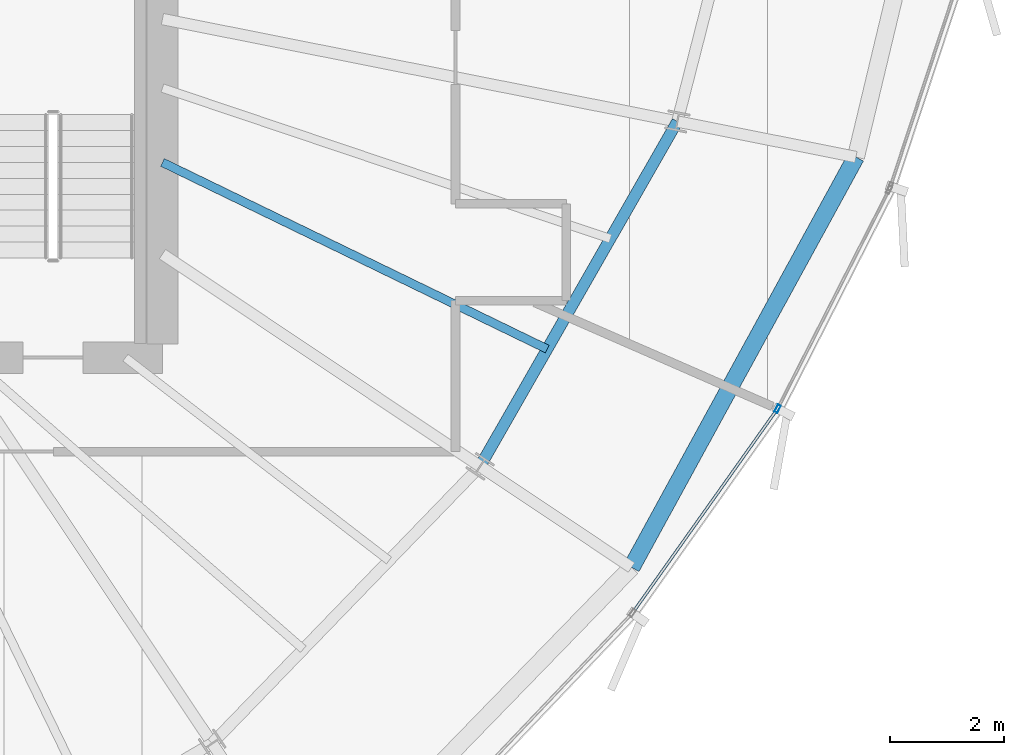
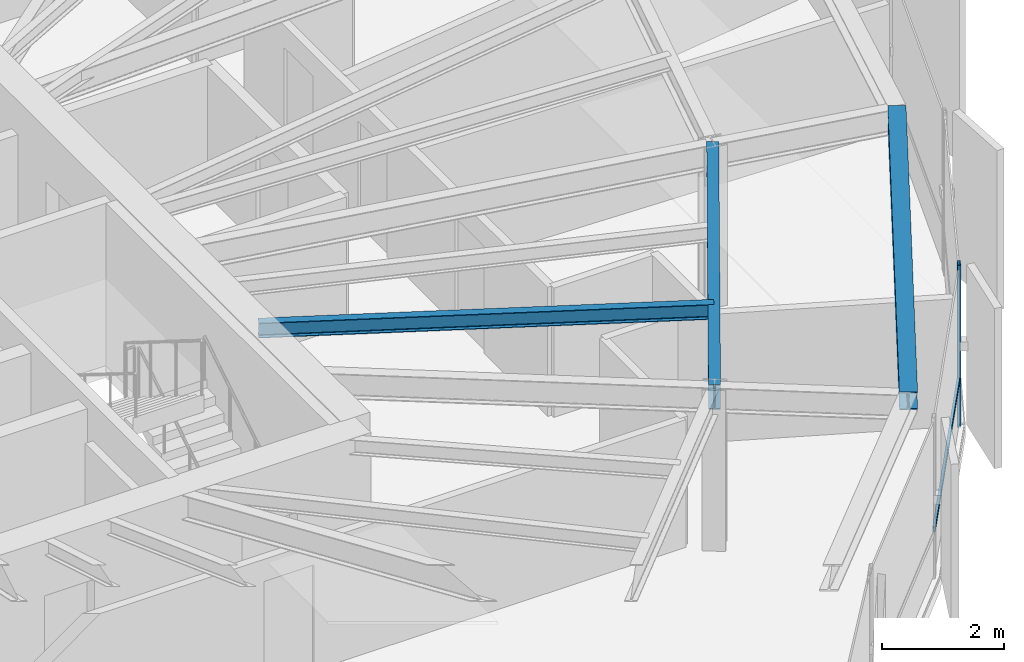
# One storey, part 14 of 35: 3 beams, 2 members, 1 element without a shape of its own.
"""IFC4 building model written with IfcOpenShell, lengths in metres."""

from ifc_helpers import new_model, si_unit, direction, frame, origin, origin_2d, place, context, subcontext, project, spatial, hollow_rectangle, i_section, extrude, source, transform, mapped, material, layer, layer_set, material_profile, profile_set, type_object, element, aggregate, save


model = new_model("IFC4")

# Units and contexts
model_context = context("Model", 3, precision=1e-05, world=origin(), true_north=direction((0.0, 1.0)))
body_context = subcontext(model_context, "Body", "Model", "MODEL_VIEW")
ifc_project = project(units=[si_unit("LENGTHUNIT", "METRE"), si_unit("AREAUNIT", "SQUARE_METRE"), si_unit("VOLUMEUNIT", "CUBIC_METRE"), si_unit("PLANEANGLEUNIT", "RADIAN"), si_unit("MASSUNIT", "GRAM", prefix="KILO"), si_unit("THERMODYNAMICTEMPERATUREUNIT", "KELVIN")], contexts=[model_context])

# Site, building, storey
site_placement = place(None, origin())
site = spatial("IfcSite", under=ifc_project, at=site_placement, CompositionType="ELEMENT")
building_placement = place(site_placement, origin())
building = spatial("IfcBuilding", under=site, at=building_placement, Name="Kethvar Cultural Tower", CompositionType="ELEMENT")
storey_placement = place(building_placement, frame((0.0, 0.0, 204.39990234375)))
storey = spatial("IfcBuildingStorey", under=building, at=storey_placement, Name="L53", CompositionType="ELEMENT", Elevation=204.39990234375)

# Beams
ifc_material_1 = material(Name="Steel S355J2", Category="steel")
ifc_material_profile_1 = material_profile(ifc_material_1, i_section(OverallWidth=0.199951171875, OverallDepth=0.5, WebThickness=0.01025390625, FlangeThickness=0.01611328125, FilletRadius=0.02099609375, at=origin_2d()), Name="Steel S355J2 — IPE500")
ifc_profile_set_1 = profile_set([ifc_material_profile_1], Name="Steel S355J2 — IPE500")
beam_type_1 = type_object("IfcBeamType", Name="BM-IPE500", PredefinedType="BEAM", material=ifc_profile_set_1)
shared_shape_1 = source(origin(), body_context, "Body", "SweptSolid", [
    extrude(i_section(OverallWidth=0.199951171875, OverallDepth=0.5, WebThickness=0.01025390625, FlangeThickness=0.01611328125, FilletRadius=0.02099609375, at=origin_2d()), origin(), (0.0, 0.0, 1.0), 6.98095703125),
])
beam_1_placement = place(storey_placement, frame((61.1826171875, 18.18994140625, 3.008056640625), z_axis=(0.496496686118, 0.868038617041, 0.0), x_axis=(-0.868038617041, 0.496496686118, 0.0)))
element("IfcBeam", 1, at=beam_1_placement, inside=storey, type_object=beam_type_1, Name="L53 Column Ring Tie Beam CR-15", PredefinedType="BEAM", context=body_context, shape_type="MappedRepresentation", body=[
    mapped(shared_shape_1, transform((0.0, 0.0, 0.0), scale=1.0)),
])
ifc_material_profile_2 = material_profile(ifc_material_1, i_section(OverallWidth=0.300048828125, OverallDepth=0.360107421875, WebThickness=0.012451171875, FlangeThickness=0.0224609375, FilletRadius=0.027099609375, at=origin_2d()), Name="Steel S355J2 — HEB360")
ifc_profile_set_2 = profile_set([ifc_material_profile_2], Name="Steel S355J2 — HEB360")
beam_type_2 = type_object("IfcBeamType", Name="BM-SP360", PredefinedType="SPANDREL", material=ifc_profile_set_2)
shared_shape_2 = source(origin(), body_context, "Body", "SweptSolid", [
    extrude(i_section(OverallWidth=0.300048828125, OverallDepth=0.360107421875, WebThickness=0.012451171875, FlangeThickness=0.0224609375, FilletRadius=0.027099609375, at=origin_2d()), origin(), (0.0, 0.0, 1.0), 8.22119140625),
])
beam_2_placement = place(storey_placement, frame((63.84326171875, 16.412109375, 3.078125), z_axis=(0.479721613821, 0.8774207504, 0.0), x_axis=(-0.8774207504, 0.479721613821, 0.0)))
element("IfcBeam", 2, at=beam_2_placement, inside=storey, type_object=beam_type_2, Name="L53 Perimeter Spandrel Beam SP-15", PredefinedType="SPANDREL", context=body_context, shape_type="MappedRepresentation", body=[
    mapped(shared_shape_2, transform((0.0, 0.0, 0.0), scale=1.0)),
])
ifc_material_profile_3 = material_profile(ifc_material_1, i_section(OverallWidth=0.14990234375, OverallDepth=0.300048828125, WebThickness=0.007080078125, FlangeThickness=0.0107421875, FilletRadius=0.014892578125, at=origin_2d()), Name="Steel S355J2 — IPE300")
ifc_profile_set_3 = profile_set([ifc_material_profile_3], Name="Steel S355J2 — IPE300")
beam_type_3 = type_object("IfcBeamType", Name="BM-J300", PredefinedType="JOIST", material=ifc_profile_set_3)
shared_shape_3 = source(origin(), body_context, "Body", "SweptSolid", [
    extrude(i_section(OverallWidth=0.14990234375, OverallDepth=0.300048828125, WebThickness=0.007080078125, FlangeThickness=0.0107421875, FilletRadius=0.014892578125, at=origin_2d()), origin(), (0.0, 0.0, 1.0), 7.5146484375),
])
beam_3_placement = place(storey_placement, frame((55.60009765625, 23.530517578125, 3.108154296875), z_axis=(0.899698132091, -0.436512624229, 0.0), x_axis=(0.436512624229, 0.899698132091, 0.0)))
element("IfcBeam", 3, at=beam_3_placement, inside=storey, type_object=beam_type_3, Name="L53 Composite Floor Joist J-15A", PredefinedType="JOIST", context=body_context, shape_type="MappedRepresentation", body=[
    mapped(shared_shape_3, transform((0.0, 0.0, 0.0), scale=1.0)),
])

# Curtain wall, members
ifc_material_2 = material(Name="Aluminium 6063-T6", Category="aluminium")
ifc_layer = layer(ifc_material_2, 0.179931640625, Name="Aluminium 6063-T6", Category="aluminium")
ifc_layer_set = layer_set([ifc_layer], Name="Aluminium 6063-T6 (180 mm)")
curtain_wall_type = type_object("IfcCurtainWallType", Name="CW-SYS-04-Z34", PredefinedType="NOTDEFINED", material=ifc_layer_set)
curtain_wall_placement = place(storey_placement, origin())
curtain_wall = element("IfcCurtainWall", 4, at=curtain_wall_placement, inside=storey, type_object=curtain_wall_type, Name="L53 Curtain Wall Run 05", PredefinedType="NOTDEFINED")
ifc_material_profile_4 = material_profile(ifc_material_2, hollow_rectangle(XDim=0.06005859375, YDim=0.139892578125, WallThickness=0.0048828125, at=origin_2d()), Name="Aluminium 6063-T6 — RHS140x60x5")
ifc_profile_set_4 = profile_set([ifc_material_profile_4], Name="Aluminium 6063-T6 — RHS140x60x5")
member_type_1 = type_object("IfcMemberType", Name="CW-SYS-04-Z34-MUL", PredefinedType="MULLION", material=ifc_profile_set_4)
shared_shape_4 = source(origin(), body_context, "Body", "SweptSolid", [
    extrude(hollow_rectangle(XDim=0.06005859375, YDim=0.139892578125, WallThickness=0.0048828125, at=origin_2d()), origin(), (0.0, 0.0, 1.0), 3.260009765625),
])
member_1_placement = place(storey_placement, frame((66.410400390625, 19.201416015625, 0.0), z_axis=(0.0, 0.0, 1.0), x_axis=(-0.89114118666, 0.453726112802, 0.0)))
member_1 = element("IfcMember", 5, at=member_1_placement, type_object=member_type_1, Name="CW-L53-R05 Mullion 6", PredefinedType="MULLION", context=body_context, shape_type="MappedRepresentation", body=[
    mapped(shared_shape_4, transform((0.0, 0.0, 0.0), scale=1.0)),
])
ifc_material_profile_5 = material_profile(ifc_material_2, hollow_rectangle(XDim=0.050048828125, YDim=0.10009765625, WallThickness=0.00390625, at=origin_2d()), Name="Aluminium 6063-T6 — RHS100x50x4")
ifc_profile_set_5 = profile_set([ifc_material_profile_5], Name="Aluminium 6063-T6 — RHS100x50x4")
member_type_2 = type_object("IfcMemberType", Name="CW-SYS-04-Z34-TRN", PredefinedType="USERDEFINED", material=ifc_profile_set_5)
shared_shape_5 = source(origin(), body_context, "Body", "SweptSolid", [
    extrude(hollow_rectangle(XDim=0.050048828125, YDim=0.10009765625, WallThickness=0.00390625, at=origin_2d()), origin(), (0.0, 0.0, 1.0), 4.335205078125),
])
member_2_placement = place(storey_placement, frame((63.884033203125, 15.645263671875, 0.9501953125), z_axis=(0.578918549384, 0.815385377094, 0.0), x_axis=(-0.815385377094, 0.578918549384, 0.0)))
member_2 = element("IfcMember", 6, at=member_2_placement, type_object=member_type_2, Name="CW-L53-R05 Transom 5", ObjectType="TRANSOM", PredefinedType="USERDEFINED", context=body_context, shape_type="MappedRepresentation", body=[
    mapped(shared_shape_5, transform((0.0, 0.0, 0.0), scale=1.0)),
])
aggregate(curtain_wall, [member_1, member_2])

save(model, "model.ifc")
